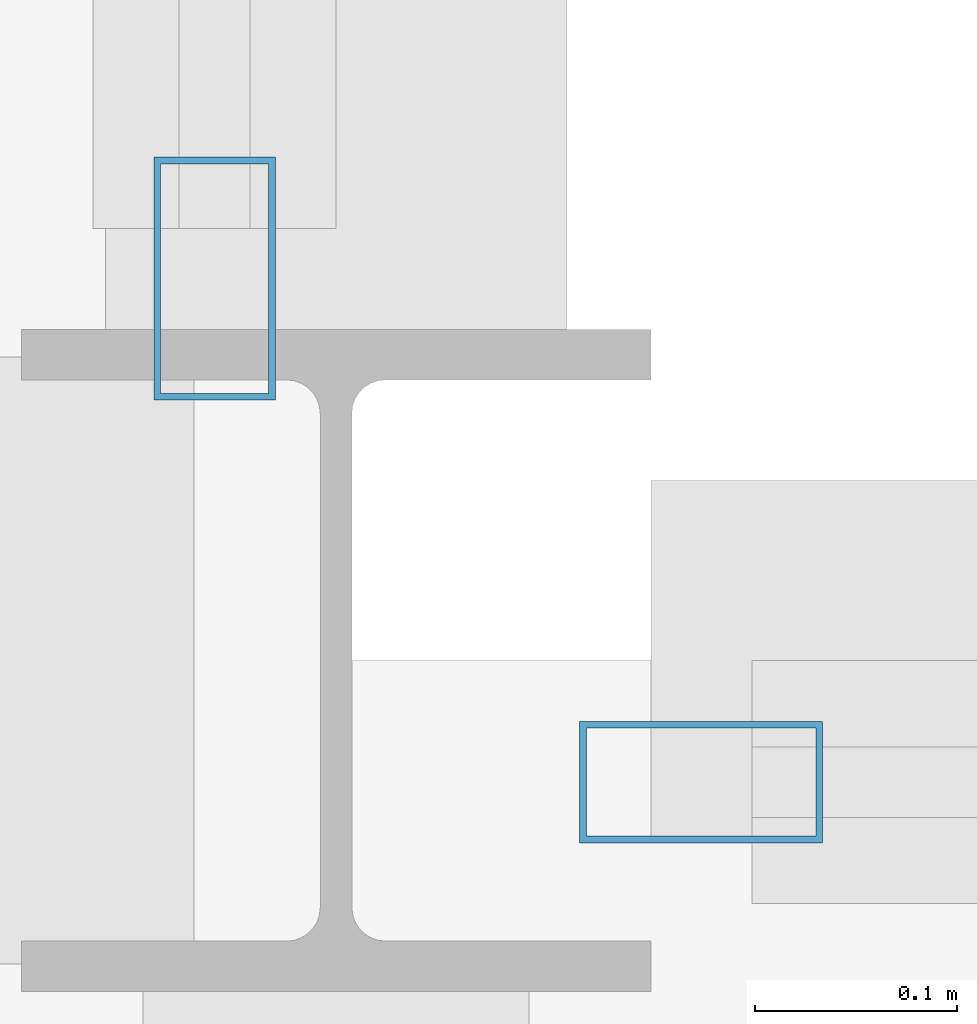
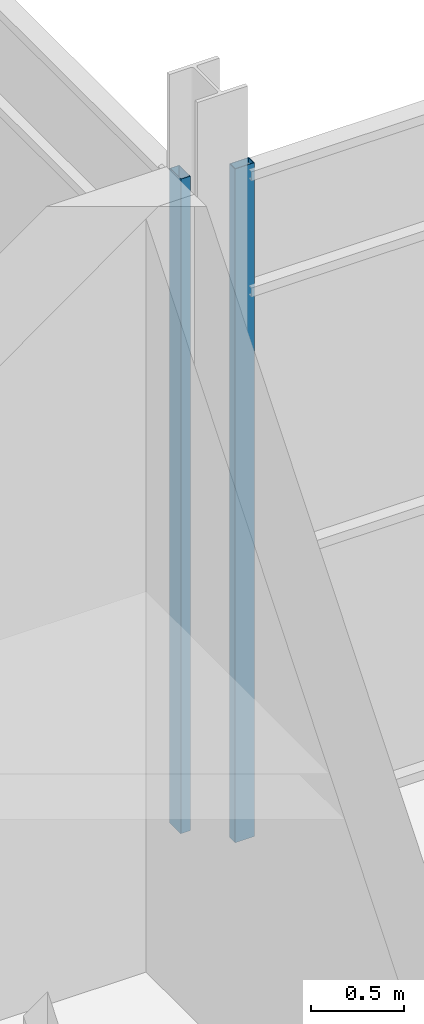
# One storey, part 22 of 115: 2 members, 2 elements without a shape of their own.
"""IFC4 building model written with IfcOpenShell, lengths in metres."""

from ifc_helpers import new_model, si_unit, direction, frame, origin, origin_2d, place, context, subcontext, project, spatial, hollow_rectangle, extrude, material, layer, layer_set, material_profile, profile_set, type_object, element, aggregate, save


model = new_model("IFC4")

# Units and contexts
model_context = context("Model", 3, precision=1e-05, world=origin(), true_north=direction((0.0, 1.0)))
body_context = subcontext(model_context, "Body", "Model", "MODEL_VIEW")
ifc_project = project(units=[si_unit("LENGTHUNIT", "METRE"), si_unit("AREAUNIT", "SQUARE_METRE"), si_unit("VOLUMEUNIT", "CUBIC_METRE"), si_unit("PLANEANGLEUNIT", "RADIAN"), si_unit("MASSUNIT", "GRAM", prefix="KILO")], contexts=[model_context])

# Site, building, storey
site_placement = place(None, origin())
site = spatial("IfcSite", under=ifc_project, at=site_placement, CompositionType="ELEMENT")
building_placement = place(site_placement, origin())
building = spatial("IfcBuilding", under=site, at=building_placement, Name="Shorebreak Coast Museum", CompositionType="ELEMENT")
storey_placement = place(building_placement, frame((0.0, 0.0, 11.0)))
storey = spatial("IfcBuildingStorey", under=building, at=storey_placement, Name="L02", CompositionType="ELEMENT", Elevation=11.0)

# Curtain wall, member
ifc_material_1 = material(Name="Aluminium", Category="aluminium")
ifc_layer = layer(ifc_material_1, 0.1201171875)
ifc_layer_set = layer_set([ifc_layer], Name="Aluminium")
curtain_wall_type = type_object("IfcCurtainWallType", Name="Atrium fire screen", PredefinedType="NOTDEFINED", material=ifc_layer_set)
curtain_wall_1_placement = place(storey_placement, origin())
curtain_wall_1 = element("IfcCurtainWall", 1, at=curtain_wall_1_placement, inside=storey, type_object=curtain_wall_type, Name="Atrium screen L02 S 16", PredefinedType="NOTDEFINED")
ifc_material_2 = material(Name="Aluminium", Category="aluminium")
ifc_material_profile = material_profile(ifc_material_2, hollow_rectangle(XDim=0.06005859375, YDim=0.1201171875, WallThickness=0.00341796875, at=origin_2d()), Name="AL 120x60 RHS")
ifc_profile_set = profile_set([ifc_material_profile], Name="Aluminium")
member_type = type_object("IfcMemberType", Name="Screen mullion 50 x 120", PredefinedType="MULLION", material=ifc_profile_set)
member_1_placement = place(storey_placement, frame((63.180419921875, 62.93994140625, 0.0), z_axis=(0.0, 0.0, 1.0), x_axis=(0.0, 1.0, 0.0)))
member_1 = element("IfcMember", 2, at=member_1_placement, type_object=member_type, Name="CW5 mullion 1", PredefinedType="MULLION", context=body_context, shape_type="SweptSolid", body=[
    extrude(hollow_rectangle(XDim=0.06005859375, YDim=0.1201171875, WallThickness=0.00341796875, at=origin_2d()), origin(), (0.0, 0.0, 1.0), 4.42236328125),
])
aggregate(curtain_wall_1, [member_1])

curtain_wall_2_placement = place(storey_placement, origin())
curtain_wall_2 = element("IfcCurtainWall", 3, at=curtain_wall_2_placement, inside=storey, type_object=curtain_wall_type, Name="Atrium screen L02 W 27", PredefinedType="NOTDEFINED")
member_2_placement = place(storey_placement, frame((62.93994140625, 63.188720703125, 0.0), z_axis=(0.0, 0.0, 1.0), x_axis=(-1.0, 0.0, 0.0)))
member_2 = element("IfcMember", 4, at=member_2_placement, type_object=member_type, Name="CW4 mullion 1", PredefinedType="MULLION", context=body_context, shape_type="SweptSolid", body=[
    extrude(hollow_rectangle(XDim=0.06005859375, YDim=0.1201171875, WallThickness=0.00341796875, at=origin_2d()), origin(), (0.0, 0.0, 1.0), 4.296875),
])
aggregate(curtain_wall_2, [member_2])

save(model, "model.ifc")
